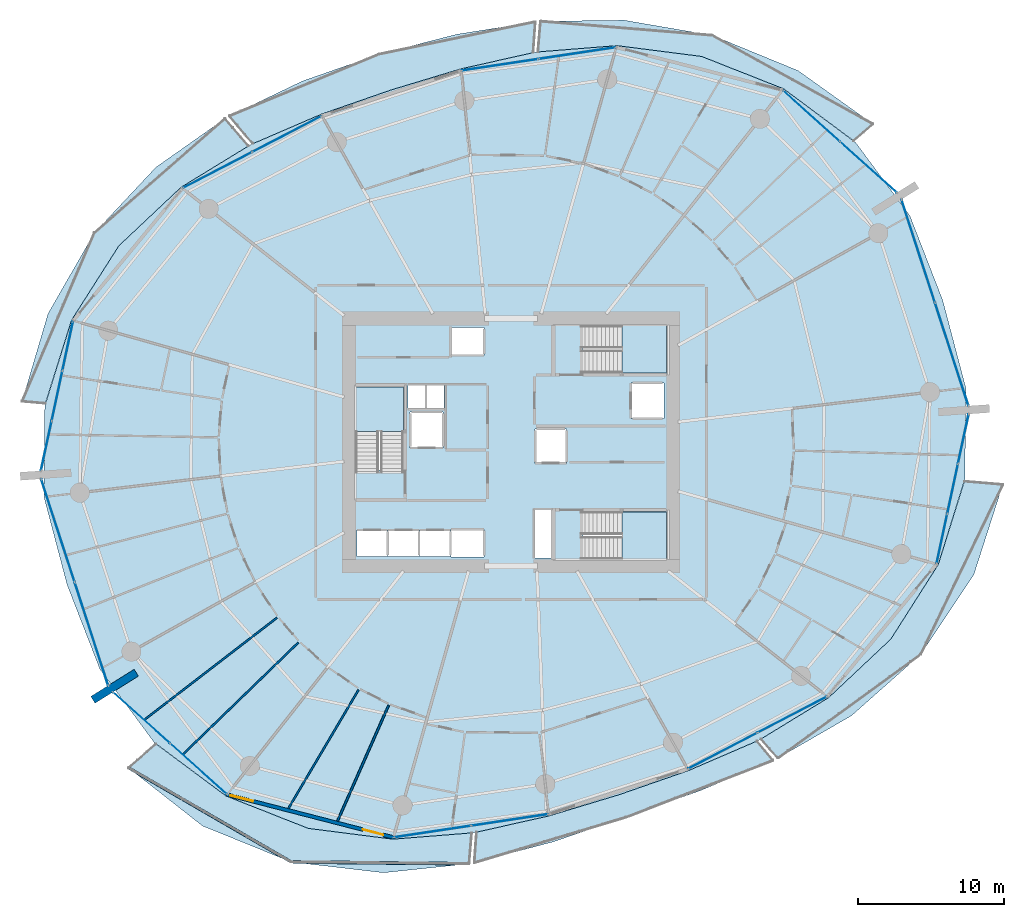
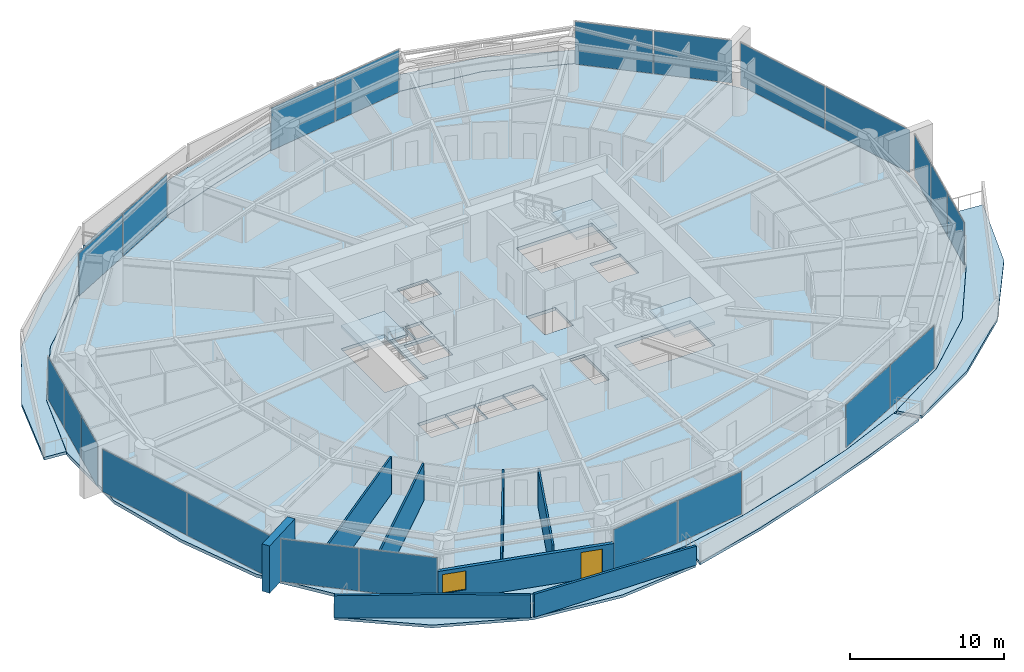
# One storey, part 17 of 30: 22 plates, 10 slabs, 8 walls, 1 door, 1 window, 2 openings, 13 elements without a shape of their own.
"""IFC4 building model written with IfcOpenShell, lengths in metres."""

from ifc_helpers import new_model, si_unit, direction, frame, frame_2d, origin, origin_2d, place, context, subcontext, project, spatial, polyline, rectangle, outline, extrude, material, layer, layer_set, type_object, element, fill, aggregate, save


model = new_model("IFC4")

# Units and contexts
model_context = context("Model", 3, precision=1e-05, world=origin(), true_north=direction((0.0, 1.0)))
body_context = subcontext(model_context, "Body", "Model", "MODEL_VIEW")
ifc_project = project(units=[si_unit("LENGTHUNIT", "METRE"), si_unit("AREAUNIT", "SQUARE_METRE"), si_unit("VOLUMEUNIT", "CUBIC_METRE"), si_unit("PLANEANGLEUNIT", "RADIAN"), si_unit("MASSUNIT", "GRAM", prefix="KILO")], contexts=[model_context])

# Site, building, storey
site_placement = place(None, origin())
site = spatial("IfcSite", under=ifc_project, at=site_placement, CompositionType="ELEMENT")
building_placement = place(site_placement, origin())
building = spatial("IfcBuilding", under=site, at=building_placement, Name="Kazma Halo Residences", CompositionType="ELEMENT")
storey_placement = place(building_placement, frame((0.0, 0.0, 56.39990234375)))
storey = spatial("IfcBuildingStorey", under=building, at=storey_placement, Name="L13", CompositionType="ELEMENT", Elevation=56.39990234375)

# Curtain wall, plates
ifc_material_1 = material(Name="Aluminium AW-6063 T6 and Triple-Silver Low-E Glass", Category="aluminium")
ifc_layer_1 = layer(ifc_material_1, 0.159912109375)
ifc_layer_set_1 = layer_set([ifc_layer_1], Name="Aluminium AW-6063 T6 and Triple-Silver Low-E Glass")
curtain_wall_type = type_object("IfcCurtainWallType", Name="CW-SYS-2", PredefinedType="NOTDEFINED", material=ifc_layer_set_1)
curtain_wall_1_placement = place(storey_placement, origin())
curtain_wall_1 = element("IfcCurtainWall", 1, at=curtain_wall_1_placement, inside=storey, type_object=curtain_wall_type, Name="L13 unitised curtain wall B01", PredefinedType="NOTDEFINED")
ifc_material_2 = material(Name="Clear Triple-Silver Low-E Glass IGU", Category="glass")
ifc_layer_2 = layer(ifc_material_2, 0.028076171875)
ifc_layer_set_2 = layer_set([ifc_layer_2], Name="Clear Triple-Silver Low-E Glass IGU")
plate_type = type_object("IfcPlateType", Name="CW-SYS-2-PNL", PredefinedType="CURTAIN_PANEL", material=ifc_layer_set_2)
plate_1_placement = place(storey_placement, frame((72.876953125, 60.841064453125, 0.06005859375), z_axis=(0.0, 0.0, 1.0), x_axis=(-0.744321506993, 0.667821453854, 0.0)))
plate_1 = element("IfcPlate", 2, at=plate_1_placement, type_object=plate_type, Name="CWS-2 panel 1.1", PredefinedType="CURTAIN_PANEL", context=body_context, shape_type="SweptSolid", body=[
    extrude(rectangle(XDim=5.1787109375, YDim=0.028076171875, at=origin_2d()), origin(), (0.0, 0.0, 1.0), 3.3798828125),
])
plate_2_placement = place(storey_placement, frame((68.977783203125, 64.33935546875, 0.06005859375), z_axis=(0.0, 0.0, 1.0), x_axis=(-0.744321506993, 0.667821453854, 0.0)))
plate_2 = element("IfcPlate", 3, at=plate_2_placement, type_object=plate_type, Name="CWS-2 panel 2.1", PredefinedType="CURTAIN_PANEL", context=body_context, shape_type="SweptSolid", body=[
    extrude(rectangle(XDim=5.1787109375, YDim=0.028076171875, at=origin_2d()), origin(), (0.0, 0.0, 1.0), 3.3798828125),
])
aggregate(curtain_wall_1, [plate_1, plate_2])

curtain_wall_2_placement = place(storey_placement, origin())
curtain_wall_2 = element("IfcCurtainWall", 4, at=curtain_wall_2_placement, inside=storey, type_object=curtain_wall_type, Name="L13 unitised curtain wall B03", PredefinedType="NOTDEFINED")
plate_3_placement = place(storey_placement, frame((52.952392578125, 68.64013671875, 0.06005859375), z_axis=(0.0, 0.0, 1.0), x_axis=(-0.988888777994, -0.148657272805, 0.0)))
plate_3 = element("IfcPlate", 5, at=plate_3_placement, type_object=plate_type, Name="CWS-2 panel 1.1", PredefinedType="CURTAIN_PANEL", context=body_context, shape_type="SweptSolid", body=[
    extrude(rectangle(XDim=5.288818359375, YDim=0.028076171875, at=origin_2d()), origin(), (0.0, 0.0, 1.0), 3.3798828125),
])
plate_4_placement = place(storey_placement, frame((47.662841796875, 67.844970703125, 0.06005859375), z_axis=(0.0, 0.0, 1.0), x_axis=(-0.988888777994, -0.148657272805, 0.0)))
plate_4 = element("IfcPlate", 6, at=plate_4_placement, type_object=plate_type, Name="CWS-2 panel 2.1", PredefinedType="CURTAIN_PANEL", context=body_context, shape_type="SweptSolid", body=[
    extrude(rectangle(XDim=5.288818359375, YDim=0.028076171875, at=origin_2d()), origin(), (0.0, 0.0, 1.0), 3.3798828125),
])
aggregate(curtain_wall_2, [plate_3, plate_4])

curtain_wall_3_placement = place(storey_placement, origin())
curtain_wall_3 = element("IfcCurtainWall", 7, at=curtain_wall_3_placement, inside=storey, type_object=curtain_wall_type, Name="L13 unitised curtain wall B05", PredefinedType="NOTDEFINED")
plate_5_placement = place(storey_placement, frame((33.081298828125, 63.107177734375, 0.06005859375), z_axis=(0.0, 0.0, 1.0), x_axis=(-0.887402258584, -0.460995912628, 0.0)))
plate_5 = element("IfcPlate", 8, at=plate_5_placement, type_object=plate_type, Name="CWS-2 panel 1.1", PredefinedType="CURTAIN_PANEL", context=body_context, shape_type="SweptSolid", body=[
    extrude(rectangle(XDim=5.288818359375, YDim=0.028076171875, at=origin_2d()), origin(), (0.0, 0.0, 1.0), 3.3798828125),
])
plate_6_placement = place(storey_placement, frame((28.334716796875, 60.641357421875, 0.06005859375), z_axis=(0.0, 0.0, 1.0), x_axis=(-0.887402258584, -0.460995912628, 0.0)))
plate_6 = element("IfcPlate", 9, at=plate_6_placement, type_object=plate_type, Name="CWS-2 panel 2.1", PredefinedType="CURTAIN_PANEL", context=body_context, shape_type="SweptSolid", body=[
    extrude(rectangle(XDim=5.288818359375, YDim=0.028076171875, at=origin_2d()), origin(), (0.0, 0.0, 1.0), 3.3798828125),
])
aggregate(curtain_wall_3, [plate_5, plate_6])

curtain_wall_4_placement = place(storey_placement, origin())
curtain_wall_4 = element("IfcCurtainWall", 10, at=curtain_wall_4_placement, inside=storey, type_object=curtain_wall_type, Name="L13 unitised curtain wall B07", PredefinedType="NOTDEFINED")
plate_7_placement = place(storey_placement, frame((18.08203125, 48.60107421875, 0.06005859375), z_axis=(0.0, 0.0, 1.0), x_axis=(-0.209637321406, -0.977779215096, 0.0)))
plate_7 = element("IfcPlate", 11, at=plate_7_placement, type_object=plate_type, Name="CWS-2 panel 1.1", PredefinedType="CURTAIN_PANEL", context=body_context, shape_type="SweptSolid", body=[
    extrude(rectangle(XDim=3.42236328125, YDim=0.028076171875, at=origin_2d()), origin(), (0.0, 0.0, 1.0), 3.3798828125),
])
plate_8_placement = place(storey_placement, frame((17.348876953125, 45.181396484375, 0.06005859375), z_axis=(0.0, 0.0, 1.0), x_axis=(-0.209637321406, -0.977779215096, 0.0)))
plate_8 = element("IfcPlate", 12, at=plate_8_placement, type_object=plate_type, Name="CWS-2 panel 2.1", PredefinedType="CURTAIN_PANEL", context=body_context, shape_type="SweptSolid", body=[
    extrude(rectangle(XDim=3.452392578125, YDim=0.028076171875, at=origin_2d()), origin(), (0.0, 0.0, 1.0), 3.3798828125),
])
plate_9_placement = place(storey_placement, frame((16.61572265625, 41.76171875, 0.06005859375), z_axis=(0.0, 0.0, 1.0), x_axis=(-0.209637321406, -0.977779215096, 0.0)))
plate_9 = element("IfcPlate", 13, at=plate_9_placement, type_object=plate_type, Name="CWS-2 panel 3.1", PredefinedType="CURTAIN_PANEL", context=body_context, shape_type="SweptSolid", body=[
    extrude(rectangle(XDim=3.42236328125, YDim=0.028076171875, at=origin_2d()), origin(), (0.0, 0.0, 1.0), 3.3798828125),
])
aggregate(curtain_wall_4, [plate_7, plate_8, plate_9])

curtain_wall_5_placement = place(storey_placement, origin())
curtain_wall_5 = element("IfcCurtainWall", 14, at=curtain_wall_5_placement, inside=storey, type_object=curtain_wall_type, Name="L13 unitised curtain wall B08", PredefinedType="NOTDEFINED")
plate_10_placement = place(storey_placement, frame((17.409912109375, 35.96728515625, 0.06005859375), z_axis=(0.0, 0.0, 1.0), x_axis=(0.309016970539, -0.95105652404, 0.0)))
plate_10 = element("IfcPlate", 15, at=plate_10_placement, type_object=plate_type, Name="CWS-2 panel 1.1", PredefinedType="CURTAIN_PANEL", context=body_context, shape_type="SweptSolid", body=[
    extrude(rectangle(XDim=7.370849609375, YDim=0.028076171875, at=origin_2d()), origin(), (0.0, 0.0, 1.0), 3.3798828125),
])
plate_11_placement = place(storey_placement, frame((19.7060546875, 28.900146484375, 0.06005859375), z_axis=(0.0, 0.0, 1.0), x_axis=(0.309016970539, -0.95105652404, 0.0)))
plate_11 = element("IfcPlate", 16, at=plate_11_placement, type_object=plate_type, Name="CWS-2 panel 2.1", PredefinedType="CURTAIN_PANEL", context=body_context, shape_type="SweptSolid", body=[
    extrude(rectangle(XDim=7.370849609375, YDim=0.028076171875, at=origin_2d()), origin(), (0.0, 0.0, 1.0), 3.3798828125),
])
aggregate(curtain_wall_5, [plate_10, plate_11])

curtain_wall_6_placement = place(storey_placement, origin())
curtain_wall_6 = element("IfcCurtainWall", 17, at=curtain_wall_6_placement, inside=storey, type_object=curtain_wall_type, Name="L13 unitised curtain wall B09", PredefinedType="NOTDEFINED")
plate_12_placement = place(storey_placement, frame((23.123046875, 23.158935546875, 0.06005859375), z_axis=(0.0, 0.0, 1.0), x_axis=(0.744321506993, -0.667821453854, 0.0)))
plate_12 = element("IfcPlate", 18, at=plate_12_placement, type_object=plate_type, Name="CWS-2 panel 1.1", PredefinedType="CURTAIN_PANEL", context=body_context, shape_type="SweptSolid", body=[
    extrude(rectangle(XDim=5.1787109375, YDim=0.028076171875, at=origin_2d()), origin(), (0.0, 0.0, 1.0), 3.3798828125),
])
plate_13_placement = place(storey_placement, frame((27.022216796875, 19.66064453125, 0.06005859375), z_axis=(0.0, 0.0, 1.0), x_axis=(0.744321506993, -0.667821453854, 0.0)))
plate_13 = element("IfcPlate", 19, at=plate_13_placement, type_object=plate_type, Name="CWS-2 panel 2.1", PredefinedType="CURTAIN_PANEL", context=body_context, shape_type="SweptSolid", body=[
    extrude(rectangle(XDim=5.1787109375, YDim=0.028076171875, at=origin_2d()), origin(), (0.0, 0.0, 1.0), 3.3798828125),
])
aggregate(curtain_wall_6, [plate_12, plate_13])

curtain_wall_7_placement = place(storey_placement, origin())
curtain_wall_7 = element("IfcCurtainWall", 20, at=curtain_wall_7_placement, inside=storey, type_object=curtain_wall_type, Name="L13 unitised curtain wall B11", PredefinedType="NOTDEFINED")
plate_14_placement = place(storey_placement, frame((43.047607421875, 15.35986328125, 0.06005859375), z_axis=(0.0, 0.0, 1.0), x_axis=(0.988888777994, 0.148657272805, 0.0)))
plate_14 = element("IfcPlate", 21, at=plate_14_placement, type_object=plate_type, Name="CWS-2 panel 1.1", PredefinedType="CURTAIN_PANEL", context=body_context, shape_type="SweptSolid", body=[
    extrude(rectangle(XDim=5.288818359375, YDim=0.028076171875, at=origin_2d()), origin(), (0.0, 0.0, 1.0), 3.3798828125),
])
plate_15_placement = place(storey_placement, frame((48.337158203125, 16.155029296875, 0.06005859375), z_axis=(0.0, 0.0, 1.0), x_axis=(0.988888777994, 0.148657272805, 0.0)))
plate_15 = element("IfcPlate", 22, at=plate_15_placement, type_object=plate_type, Name="CWS-2 panel 2.1", PredefinedType="CURTAIN_PANEL", context=body_context, shape_type="SweptSolid", body=[
    extrude(rectangle(XDim=5.288818359375, YDim=0.028076171875, at=origin_2d()), origin(), (0.0, 0.0, 1.0), 3.3798828125),
])
aggregate(curtain_wall_7, [plate_14, plate_15])

curtain_wall_8_placement = place(storey_placement, origin())
curtain_wall_8 = element("IfcCurtainWall", 23, at=curtain_wall_8_placement, inside=storey, type_object=curtain_wall_type, Name="L13 unitised curtain wall B13", PredefinedType="NOTDEFINED")
plate_16_placement = place(storey_placement, frame((62.918701171875, 20.892822265625, 0.06005859375), z_axis=(0.0, 0.0, 1.0), x_axis=(0.887402258584, 0.460995912628, 0.0)))
plate_16 = element("IfcPlate", 24, at=plate_16_placement, type_object=plate_type, Name="CWS-2 panel 1.1", PredefinedType="CURTAIN_PANEL", context=body_context, shape_type="SweptSolid", body=[
    extrude(rectangle(XDim=5.288818359375, YDim=0.028076171875, at=origin_2d()), origin(), (0.0, 0.0, 1.0), 3.3798828125),
])
plate_17_placement = place(storey_placement, frame((67.665283203125, 23.358642578125, 0.06005859375), z_axis=(0.0, 0.0, 1.0), x_axis=(0.887402258584, 0.460995912628, 0.0)))
plate_17 = element("IfcPlate", 25, at=plate_17_placement, type_object=plate_type, Name="CWS-2 panel 2.1", PredefinedType="CURTAIN_PANEL", context=body_context, shape_type="SweptSolid", body=[
    extrude(rectangle(XDim=5.288818359375, YDim=0.028076171875, at=origin_2d()), origin(), (0.0, 0.0, 1.0), 3.3798828125),
])
aggregate(curtain_wall_8, [plate_16, plate_17])

curtain_wall_9_placement = place(storey_placement, origin())
curtain_wall_9 = element("IfcCurtainWall", 26, at=curtain_wall_9_placement, inside=storey, type_object=curtain_wall_type, Name="L13 unitised curtain wall B15", PredefinedType="NOTDEFINED")
plate_18_placement = place(storey_placement, frame((77.91796875, 35.39892578125, 0.06005859375), z_axis=(0.0, 0.0, 1.0), x_axis=(0.209637321406, 0.977779215096, 0.0)))
plate_18 = element("IfcPlate", 27, at=plate_18_placement, type_object=plate_type, Name="CWS-2 panel 1.1", PredefinedType="CURTAIN_PANEL", context=body_context, shape_type="SweptSolid", body=[
    extrude(rectangle(XDim=3.42236328125, YDim=0.028076171875, at=origin_2d()), origin(), (0.0, 0.0, 1.0), 3.3798828125),
])
plate_19_placement = place(storey_placement, frame((78.651123046875, 38.818603515625, 0.06005859375), z_axis=(0.0, 0.0, 1.0), x_axis=(0.209637321406, 0.977779215096, 0.0)))
plate_19 = element("IfcPlate", 28, at=plate_19_placement, type_object=plate_type, Name="CWS-2 panel 2.1", PredefinedType="CURTAIN_PANEL", context=body_context, shape_type="SweptSolid", body=[
    extrude(rectangle(XDim=3.452392578125, YDim=0.028076171875, at=origin_2d()), origin(), (0.0, 0.0, 1.0), 3.3798828125),
])
plate_20_placement = place(storey_placement, frame((79.38427734375, 42.23828125, 0.06005859375), z_axis=(0.0, 0.0, 1.0), x_axis=(0.209637321406, 0.977779215096, 0.0)))
plate_20 = element("IfcPlate", 29, at=plate_20_placement, type_object=plate_type, Name="CWS-2 panel 3.1", PredefinedType="CURTAIN_PANEL", context=body_context, shape_type="SweptSolid", body=[
    extrude(rectangle(XDim=3.42236328125, YDim=0.028076171875, at=origin_2d()), origin(), (0.0, 0.0, 1.0), 3.3798828125),
])
aggregate(curtain_wall_9, [plate_18, plate_19, plate_20])

curtain_wall_10_placement = place(storey_placement, origin())
curtain_wall_10 = element("IfcCurtainWall", 30, at=curtain_wall_10_placement, inside=storey, type_object=curtain_wall_type, Name="L13 unitised curtain wall B16", PredefinedType="NOTDEFINED")
plate_21_placement = place(storey_placement, frame((78.590087890625, 48.03271484375, 0.06005859375), z_axis=(0.0, 0.0, 1.0), x_axis=(-0.309016970539, 0.95105652404, 0.0)))
plate_21 = element("IfcPlate", 31, at=plate_21_placement, type_object=plate_type, Name="CWS-2 panel 1.1", PredefinedType="CURTAIN_PANEL", context=body_context, shape_type="SweptSolid", body=[
    extrude(rectangle(XDim=7.370849609375, YDim=0.028076171875, at=origin_2d()), origin(), (0.0, 0.0, 1.0), 3.3798828125),
])
plate_22_placement = place(storey_placement, frame((76.2939453125, 55.099853515625, 0.06005859375), z_axis=(0.0, 0.0, 1.0), x_axis=(-0.309016970539, 0.95105652404, 0.0)))
plate_22 = element("IfcPlate", 32, at=plate_22_placement, type_object=plate_type, Name="CWS-2 panel 2.1", PredefinedType="CURTAIN_PANEL", context=body_context, shape_type="SweptSolid", body=[
    extrude(rectangle(XDim=7.370849609375, YDim=0.028076171875, at=origin_2d()), origin(), (0.0, 0.0, 1.0), 3.3798828125),
])
aggregate(curtain_wall_10, [plate_21, plate_22])

# Slabs
ifc_material_3 = material(Name="White Concrete C50/60", Category="concrete")
ifc_layer_3 = layer(ifc_material_3, 0.219970703125)
ifc_layer_set_3 = layer_set([ifc_layer_3], Name="White Concrete C50/60")
slab_type_1 = type_object("IfcSlabType", Name="SLB-BAL-WAVE-210", PredefinedType="FLOOR", material=ifc_layer_set_3)
slab_1_placement = place(storey_placement, frame((0.0, 0.0, -0.219970703125)))
element("IfcSlab", 33, at=slab_1_placement, inside=storey, type_object=slab_type_1, Name="L13 NE cantilevered wave balcony slab", PredefinedType="FLOOR", context=body_context, shape_type="SweptSolid", body=[
    extrude(outline(polyline([(71.875732421875, 62.645263671875), (67.081298828125, 66.20458984375), (61.461669921875, 68.420166015625), (55.659912109375, 69.15966796875), (50.26806640625, 68.729736328125), (50.44580078125, 70.8232421875), (56.15087890625, 70.90087890625), (62.196044921875, 69.861328125), (68.064453125, 67.45166015625), (73.197509765625, 63.7880859375), (71.875732421875, 62.645263671875)])), origin(), (0.0, 0.0, 1.0), 0.219970703125),
])
slab_2_placement = place(storey_placement, frame((0.0, 0.0, -0.219970703125)))
element("IfcSlab", 34, at=slab_2_placement, inside=storey, type_object=slab_type_1, Name="L13 NNW cantilevered wave balcony slab", PredefinedType="FLOOR", context=body_context, shape_type="SweptSolid", body=[
    extrude(outline(polyline([(49.935791015625, 68.679931640625), (44.974365234375, 67.564208984375), (40.165771484375, 66.111083984375), (35.421630859375, 64.460205078125), (30.751708984375, 62.44677734375), (29.152587890625, 64.34228515625), (34.147216796875, 66.73583984375), (39.368896484375, 68.5634765625), (44.693603515625, 69.9345703125), (50.0888671875, 70.78955078125), (49.935791015625, 68.679931640625)])), origin(), (0.0, 0.0, 1.0), 0.219970703125),
])
slab_3_placement = place(storey_placement, frame((0.0, 0.0, -0.219970703125)))
element("IfcSlab", 35, at=slab_3_placement, inside=storey, type_object=slab_type_1, Name="L13 NW cantilevered wave balcony slab", PredefinedType="FLOOR", context=body_context, shape_type="SweptSolid", body=[
    extrude(outline(polyline([(30.453857421875, 62.29150390625), (25.839111328125, 59.47021484375), (21.579833984375, 55.461669921875), (18.3359375, 50.3662109375), (16.54931640625, 44.668701171875), (14.953125, 44.80419921875), (16.73291015625, 50.818359375), (19.8876953125, 56.323974609375), (24.11181640625, 60.831787109375), (28.837158203125, 64.1611328125), (30.453857421875, 62.29150390625)])), origin(), (0.0, 0.0, 1.0), 0.219970703125),
])
slab_4_placement = place(storey_placement, frame((0.0, 0.0, -0.219970703125)))
element("IfcSlab", 36, at=slab_4_placement, inside=storey, type_object=slab_type_1, Name="L13 SW cantilevered wave balcony slab", PredefinedType="FLOOR", context=body_context, shape_type="SweptSolid", body=[
    extrude(outline(polyline([(24.124267578125, 21.354736328125), (28.918701171875, 17.79541015625), (34.538330078125, 15.579833984375), (40.340087890625, 14.84033203125), (45.73193359375, 15.270263671875), (45.552734375, 13.15771484375), (39.6923828125, 12.543212890625), (33.36767578125, 13.282470703125), (27.30419921875, 15.747314453125), (22.236083984375, 19.721923828125), (24.124267578125, 21.354736328125)])), origin(), (0.0, 0.0, 1.0), 0.219970703125),
])
slab_5_placement = place(storey_placement, frame((0.0, 0.0, -0.219970703125)))
element("IfcSlab", 37, at=slab_5_placement, inside=storey, type_object=slab_type_1, Name="L13 SSE cantilevered wave balcony slab", PredefinedType="FLOOR", context=body_context, shape_type="SweptSolid", body=[
    extrude(outline(polyline([(46.064208984375, 15.320068359375), (51.025634765625, 16.435791015625), (55.834228515625, 17.888916015625), (60.578369140625, 19.539794921875), (65.248291015625, 21.55322265625), (66.364501953125, 20.22998046875), (61.354248046875, 18.154296875), (56.333984375, 16.350341796875), (51.23828125, 14.639404296875), (45.91259765625, 13.2294921875), (46.064208984375, 15.320068359375)])), origin(), (0.0, 0.0, 1.0), 0.219970703125),
])
slab_6_placement = place(storey_placement, frame((0.0, 0.0, -0.219970703125)))
element("IfcSlab", 38, at=slab_6_placement, inside=storey, type_object=slab_type_1, Name="L13 SE cantilevered wave balcony slab", PredefinedType="FLOOR", context=body_context, shape_type="SweptSolid", body=[
    extrude(outline(polyline([(65.546142578125, 21.70849609375), (70.160888671875, 24.52978515625), (74.420166015625, 28.538330078125), (77.6640625, 33.6337890625), (79.45068359375, 39.331298828125), (82.0830078125, 39.10791015625), (80.099609375, 32.947021484375), (76.466796875, 27.49560546875), (71.728759765625, 23.293701171875), (66.690673828125, 20.384765625), (65.546142578125, 21.70849609375)])), origin(), (0.0, 0.0, 1.0), 0.219970703125),
])
ifc_material_4 = material(Name="Concrete C50/60", Category="concrete")
ifc_layer_4 = layer(ifc_material_4, 0.25)
ifc_layer_set_4 = layer_set([ifc_layer_4], Name="Concrete C50/60")
slab_type_2 = type_object("IfcSlabType", Name="SLB-RES-250", PredefinedType="FLOOR", material=ifc_layer_set_4)
slab_7_placement = place(storey_placement, frame((0.0, 0.0, -0.25)))
element("IfcSlab", 39, at=slab_7_placement, inside=storey, type_object=slab_type_2, Name="L13 structural floor slab", PredefinedType="FLOOR", context=body_context, shape_type="SweptSolid", body=[
    extrude(outline(polyline([(77.9677734375, 51.737060546875), (75.719970703125, 57.52392578125), (72.02099609375, 62.51611328125), (67.080078125, 66.202880859375), (61.460693359375, 68.418212890625), (55.6591796875, 69.15771484375), (50.102294921875, 68.713134765625), (44.974609375, 67.562255859375), (40.16650390625, 66.109375), (35.422607421875, 64.45849609375), (30.597412109375, 62.375732421875), (25.8408203125, 59.468994140625), (21.581787109375, 55.460693359375), (18.337890625, 50.365478515625), (16.507568359375, 44.478515625), (16.449462890625, 38.265625), (18.0322265625, 32.262939453125), (20.280029296875, 26.47607421875), (23.97900390625, 21.48388671875), (28.919921875, 17.797119140625), (34.539306640625, 15.581787109375), (40.3408203125, 14.84228515625), (45.897705078125, 15.286865234375), (51.025390625, 16.437744140625), (55.83349609375, 17.890625), (60.577392578125, 19.54150390625), (65.402587890625, 21.624267578125), (70.1591796875, 24.531005859375), (74.418212890625, 28.539306640625), (77.662109375, 33.634521484375), (79.492431640625, 39.521484375), (79.550537109375, 45.734375), (77.9677734375, 51.737060546875)]), holes=[polyline([(37.800048828125, 40.110107421875), (41.050048828125, 40.110107421875), (41.050048828125, 45.800048828125), (37.800048828125, 45.800048828125), (37.800048828125, 40.110107421875)]), polyline([(53.360107421875, 46.75), (59.050048828125, 46.75), (59.050048828125, 50.0), (53.360107421875, 50.0), (53.360107421875, 46.75)]), polyline([(53.360107421875, 34.0), (59.050048828125, 34.0), (59.050048828125, 37.25), (53.360107421875, 37.25), (53.360107421875, 34.0)]), polyline([(41.52001953125, 41.6201171875), (43.780029296875, 41.6201171875), (43.780029296875, 44.080078125), (41.52001953125, 44.080078125), (41.52001953125, 41.6201171875)]), polyline([(56.6201171875, 43.6201171875), (58.8798828125, 43.6201171875), (58.8798828125, 46.080078125), (56.6201171875, 46.080078125), (56.6201171875, 43.6201171875)]), polyline([(37.864990234375, 34.195068359375), (39.97509765625, 34.195068359375), (39.97509765625, 36.0048828125), (37.864990234375, 36.0048828125), (37.864990234375, 34.195068359375)]), polyline([(40.014892578125, 34.195068359375), (42.125, 34.195068359375), (42.125, 36.0048828125), (40.014892578125, 36.0048828125), (40.014892578125, 34.195068359375)]), polyline([(42.1650390625, 34.195068359375), (44.27490234375, 34.195068359375), (44.27490234375, 36.0048828125), (42.1650390625, 36.0048828125), (42.1650390625, 34.195068359375)]), polyline([(44.320068359375, 47.945068359375), (46.580078125, 47.945068359375), (46.580078125, 49.85498046875), (44.320068359375, 49.85498046875), (44.320068359375, 47.945068359375)]), polyline([(44.320068359375, 34.14501953125), (46.580078125, 34.14501953125), (46.580078125, 36.054931640625), (44.320068359375, 36.054931640625), (44.320068359375, 34.14501953125)]), polyline([(50.070068359375, 40.570068359375), (52.22998046875, 40.570068359375), (52.22998046875, 42.929931640625), (50.070068359375, 42.929931640625), (50.070068359375, 40.570068359375)]), polyline([(41.360107421875, 44.340087890625), (42.5400390625, 44.340087890625), (42.5400390625, 45.89990234375), (41.360107421875, 45.89990234375), (41.360107421875, 44.340087890625)]), polyline([(42.659912109375, 44.340087890625), (43.840087890625, 44.340087890625), (43.840087890625, 45.89990234375), (42.659912109375, 45.89990234375), (42.659912109375, 44.340087890625)]), polyline([(50.06005859375, 34.080078125), (51.159912109375, 34.080078125), (51.159912109375, 37.3798828125), (50.06005859375, 37.3798828125), (50.06005859375, 34.080078125)])]), origin(), (0.0, 0.0, 1.0), 0.25),
])

# Stair, slab
stair_type = type_object("IfcStairType", Name="STR-RES1", PredefinedType="HALF_TURN_STAIR", material=ifc_material_4)
stair_1_placement = place(storey_placement, origin())
stair_1 = element("IfcStair", 40, at=stair_1_placement, inside=storey, type_object=stair_type, Name="L13 Core exit stair ST-01", PredefinedType="HALF_TURN_STAIR")
ifc_layer_5 = layer(ifc_material_4, 0.199951171875)
ifc_layer_set_5 = layer_set([ifc_layer_5], Name="Concrete C50/60")
slab_type_3 = type_object("IfcSlabType", Name="SLB-STAIR-LND-200", PredefinedType="LANDING", material=ifc_layer_set_5)
slab_8_placement = place(storey_placement, frame((0.0, 0.0, 1.675048828125)))
slab_8 = element("IfcSlab", 41, at=slab_8_placement, type_object=slab_type_3, Name="ST-01 landing 1", PredefinedType="LANDING", context=body_context, shape_type="SweptSolid", body=[
    extrude(outline(polyline([(41.050048828125, 42.75), (41.050048828125, 45.800048828125), (37.800048828125, 45.800048828125), (37.800048828125, 42.75), (41.050048828125, 42.75)])), origin(), (0.0, 0.0, 1.0), 0.199951171875),
])
aggregate(stair_1, [slab_8])

stair_2_placement = place(storey_placement, origin())
stair_2 = element("IfcStair", 42, at=stair_2_placement, inside=storey, type_object=stair_type, Name="L13 Core exit stair ST-02", PredefinedType="HALF_TURN_STAIR")
slab_9_placement = place(storey_placement, frame((0.0, 0.0, 1.675048828125)))
slab_9 = element("IfcSlab", 43, at=slab_9_placement, type_object=slab_type_3, Name="ST-02 landing 1", PredefinedType="LANDING", context=body_context, shape_type="SweptSolid", body=[
    extrude(outline(polyline([(56.0, 46.75), (59.050048828125, 46.75), (59.050048828125, 50.0), (56.0, 50.0), (56.0, 46.75)])), origin(), (0.0, 0.0, 1.0), 0.199951171875),
])
aggregate(stair_2, [slab_9])

stair_3_placement = place(storey_placement, origin())
stair_3 = element("IfcStair", 44, at=stair_3_placement, inside=storey, type_object=stair_type, Name="L13 Core exit stair ST-03", PredefinedType="HALF_TURN_STAIR")
slab_10_placement = place(storey_placement, frame((0.0, 0.0, 1.675048828125)))
slab_10 = element("IfcSlab", 45, at=slab_10_placement, type_object=slab_type_3, Name="ST-03 landing 1", PredefinedType="LANDING", context=body_context, shape_type="SweptSolid", body=[
    extrude(outline(polyline([(56.0, 34.0), (59.050048828125, 34.0), (59.050048828125, 37.25), (56.0, 37.25), (56.0, 34.0)])), origin(), (0.0, 0.0, 1.0), 0.199951171875),
])
aggregate(stair_3, [slab_10])

# Walls
ifc_material_5 = material(Name="White Concrete C50/60 Balustrade", Category="concrete")
ifc_layer_6 = layer(ifc_material_5, 0.179931640625)
ifc_layer_set_6 = layer_set([ifc_layer_6], Name="White Concrete C50/60 Balustrade")
wall_type_1 = type_object("IfcWallType", Name="WL-BAL-WAVE-180", PredefinedType="PARAPET", material=ifc_layer_set_6)
wall_1_placement = place(storey_placement, frame((22.236083984375, 19.721923828125, 0.0), z_axis=(0.0, 0.0, 1.0), x_axis=(0.865601166392, -0.500734081865, 0.0)))
element("IfcWall", 46, at=wall_1_placement, inside=storey, type_object=wall_type_1, Name="L13 white wave balustrade wall SW.1", PredefinedType="PARAPET", context=body_context, shape_type="SweptSolid", body=[
    extrude(outline(polyline([(0.0, 0.0), (12.739990234375, 0.0), (12.739990234375, 1.83203125), (6.3701171875, 1.85302734375), (0.0, 1.756103515625), (0.0, 0.0)])), frame((0.0, 0.08984375, 0.0), z_axis=(0.0, -1.0, 0.0), x_axis=(1.0, 0.0, 0.0)), (0.0, 0.0, 1.0), 0.179931640625),
])
wall_2_placement = place(storey_placement, frame((33.48779296875, 13.28125, 0.0), z_axis=(0.0, 0.0, 1.0), x_axis=(0.999947583676, -0.010238647403, 0.0)))
element("IfcWall", 47, at=wall_2_placement, inside=storey, type_object=wall_type_1, Name="L13 white wave balustrade wall SW.2", PredefinedType="PARAPET", context=body_context, shape_type="SweptSolid", body=[
    extrude(outline(polyline([(0.0, 0.0), (12.065673828125, 0.0), (12.065673828125, 1.4970703125), (6.03271484375, 1.696044921875), (0.0, 1.83203125), (0.0, 0.0)])), frame((0.0, 0.08984375, 0.0), z_axis=(0.0, -1.0, 0.0), x_axis=(1.0, 0.0, 0.0)), (0.0, 0.0, 1.0), 0.179931640625),
])
ifc_material_6 = material(Name="Pale Concrete C60/75", Category="concrete")
ifc_layer_7 = layer(ifc_material_6, 0.550048828125)
ifc_layer_set_7 = layer_set([ifc_layer_7], Name="Pale Concrete C60/75")
wall_type_2 = type_object("IfcWallType", Name="WL-BLADE-550", PredefinedType="SOLIDWALL", material=ifc_layer_set_7)
wall_3_placement = place(storey_placement, frame((22.770263671875, 26.234619140625, 0.0), z_axis=(0.0, 0.0, 1.0), x_axis=(-0.848053161125, -0.529911158502, 0.0)))
element("IfcWall", 48, at=wall_3_placement, inside=storey, type_object=wall_type_2, Name="L13 pale concrete structural blade fin wall BW-03", PredefinedType="SOLIDWALL", context=body_context, shape_type="SweptSolid", body=[
    extrude(rectangle(XDim=3.5, YDim=0.550048828125, at=frame_2d((1.75, 0.0))), origin(), (0.0, 0.0, 1.0), 3.75),
])

# Wall, openings, door, window
ifc_material_7 = material(Name="Insulated Pale-Metal Composite Wall")
ifc_layer_8 = layer(ifc_material_7, 0.239990234375)
ifc_layer_set_8 = layer_set([ifc_layer_8], Name="Insulated Pale-Metal Composite Wall")
wall_type_3 = type_object("IfcWallType", Name="WL-EXT-HOST-240", PredefinedType="SOLIDWALL", material=ifc_layer_set_8)
wall_4_placement = place(storey_placement, frame((28.94580078125, 17.90380859375, 0.0), z_axis=(0.0, 0.0, 1.0), x_axis=(0.96833871487, -0.249640007378, 0.0)))
wall_4 = element("IfcWall", 49, at=wall_4_placement, inside=storey, type_object=wall_type_3, Name="L13 exterior terrace-access wall B10", PredefinedType="SOLIDWALL", context=body_context, shape_type="SweptSolid", body=[
    extrude(rectangle(XDim=11.85107421875, YDim=0.239990234375, at=frame_2d((5.925537109375, 0.0))), origin(), (0.0, 0.0, 1.0), 2.4501953125),
])
opening_1_placement = place(wall_4_placement, frame((9.631103515625, 0.0, 0.0)))
opening_1 = element("IfcOpeningElement", 50, at=opening_1_placement, cuts=wall_4, Name="Opening DTR-1600", PredefinedType="OPENING", context=body_context, shape_type="SweptSolid", body=[
    extrude(rectangle(XDim=1.449951171875, YDim=2.14990234375, at=frame_2d((0.72509765625, 1.074951171875))), frame((0.0, 0.1298828125, 0.0), z_axis=(0.0, -1.0, 0.0), x_axis=(1.0, 0.0, 0.0)), (0.0, 0.0, 1.0), 0.260009765625),
])
opening_2_placement = place(wall_4_placement, frame((0.280029296875, 0.0, 0.64990234375)))
opening_2 = element("IfcOpeningElement", 51, at=opening_2_placement, cuts=wall_4, Name="Opening W-1800", PredefinedType="OPENING", context=body_context, shape_type="SweptSolid", body=[
    extrude(rectangle(XDim=1.60009765625, YDim=1.5, at=frame_2d((0.800048828125, 0.75))), frame((0.0, 0.1298828125, 0.0), z_axis=(0.0, -1.0, 0.0), x_axis=(1.0, 0.0, 0.0)), (0.0, 0.0, 1.0), 0.260009765625),
])
ifc_material_8 = material(Name="Aluminium AW-6063 T6 Double-Glazed Terrace Door", Category="aluminium")
door_type = type_object("IfcDoorType", Name="DR-EXT-TERR-1600", OperationType="NOTDEFINED", PredefinedType="DOOR", material=ifc_material_8)
door_placement = place(opening_1_placement, origin())
door = element("IfcDoor", 52, at=door_placement, inside=storey, type_object=door_type, Name="L13 B10 balcony terrace door", OperationType="DOUBLE_DOOR_SLIDING", OverallHeight=2.14990234375, OverallWidth=1.449951171875, PredefinedType="DOOR", context=body_context, shape_type="SweptSolid", body=[
    extrude(rectangle(XDim=1.449951171875, YDim=2.14990234375, at=frame_2d((0.72509765625, 1.074951171875))), frame((0.0, 0.02490234375, 0.0), z_axis=(0.0, -1.0, 0.0), x_axis=(1.0, 0.0, 0.0)), (0.0, 0.0, 1.0), 0.050048828125),
])
fill(opening_1, door)
ifc_material_9 = material(Name="Clear Triple-Silver Low-E Glass in Aluminium AW-6063 T6 Frame", Category="aluminium")
window_type = type_object("IfcWindowType", Name="WIN-RES-1800", PartitioningType="DOUBLE_PANEL_VERTICAL", PredefinedType="WINDOW", material=ifc_material_9)
window_placement = place(opening_2_placement, origin())
window = element("IfcWindow", 53, at=window_placement, inside=storey, type_object=window_type, Name="L13 B10 apartment window", OverallHeight=1.5, OverallWidth=1.60009765625, PartitioningType="SINGLE_PANEL", PredefinedType="WINDOW", context=body_context, shape_type="SweptSolid", body=[
    extrude(rectangle(XDim=1.60009765625, YDim=1.5, at=frame_2d((0.800048828125, 0.75))), frame((0.0, 0.030029296875, 0.0), z_axis=(0.0, -1.0, 0.0), x_axis=(1.0, 0.0, 0.0)), (0.0, 0.0, 1.0), 0.06005859375),
])
fill(opening_2, window)

# Walls
ifc_material_10 = material(Name="Gypsum Plasterboard Partition")
ifc_layer_9 = layer(ifc_material_10, 0.125)
ifc_layer_set_9 = layer_set([ifc_layer_9], Name="Gypsum Plasterboard Partition")
wall_type_4 = type_object("IfcWallType", Name="WL-PART-125", PredefinedType="PARTITIONING", material=ifc_layer_set_9)
wall_5_placement = place(storey_placement, frame((32.402587890625, 29.9990234375, 0.0), z_axis=(0.0, 0.0, 1.0), x_axis=(-0.792564570614, -0.6097879971, 0.0)))
element("IfcWall", 54, at=wall_5_placement, inside=storey, type_object=wall_type_4, Name="L13 Apartment 2 bay wall 1 8", PredefinedType="PARTITIONING", context=body_context, shape_type="SweptSolid", body=[
    extrude(rectangle(XDim=11.45654296875, YDim=0.125, at=frame_2d((5.728271484375, 0.0))), origin(), (0.0, 0.0, 1.0), 2.940185546875),
])
wall_6_placement = place(storey_placement, frame((33.8671875, 28.304443359375, 0.0), z_axis=(0.0, 0.0, 1.0), x_axis=(-0.718121051269, -0.695918210513, 0.0)))
element("IfcWall", 55, at=wall_6_placement, inside=storey, type_object=wall_type_4, Name="L13 Apartment 2 bay wall 2 8", PredefinedType="PARTITIONING", context=body_context, shape_type="SweptSolid", body=[
    extrude(rectangle(XDim=11.0068359375, YDim=0.125, at=frame_2d((5.50341796875, 0.0))), origin(), (0.0, 0.0, 1.0), 2.940185546875),
])
wall_7_placement = place(storey_placement, frame((37.982177734375, 25.060546875, 0.0), z_axis=(0.0, 0.0, 1.0), x_axis=(-0.509045629219, -0.860739535152, 0.0)))
element("IfcWall", 56, at=wall_7_placement, inside=storey, type_object=wall_type_4, Name="L13 Apartment 2 bay wall 1 9", PredefinedType="PARTITIONING", context=body_context, shape_type="SweptSolid", body=[
    extrude(rectangle(XDim=9.438232421875, YDim=0.125, at=frame_2d((4.71923828125, 0.0))), origin(), (0.0, 0.0, 1.0), 2.940185546875),
])
wall_8_placement = place(storey_placement, frame((40.04248046875, 24.00048828125, 0.0), z_axis=(0.0, 0.0, 1.0), x_axis=(-0.404344711422, -0.914606666466, 0.0)))
element("IfcWall", 57, at=wall_8_placement, inside=storey, type_object=wall_type_4, Name="L13 Apartment 2 bay wall 2 9", PredefinedType="PARTITIONING", context=body_context, shape_type="SweptSolid", body=[
    extrude(rectangle(XDim=8.666748046875, YDim=0.125, at=frame_2d((4.33349609375, 0.0))), origin(), (0.0, 0.0, 1.0), 2.940185546875),
])

save(model, "model.ifc")
